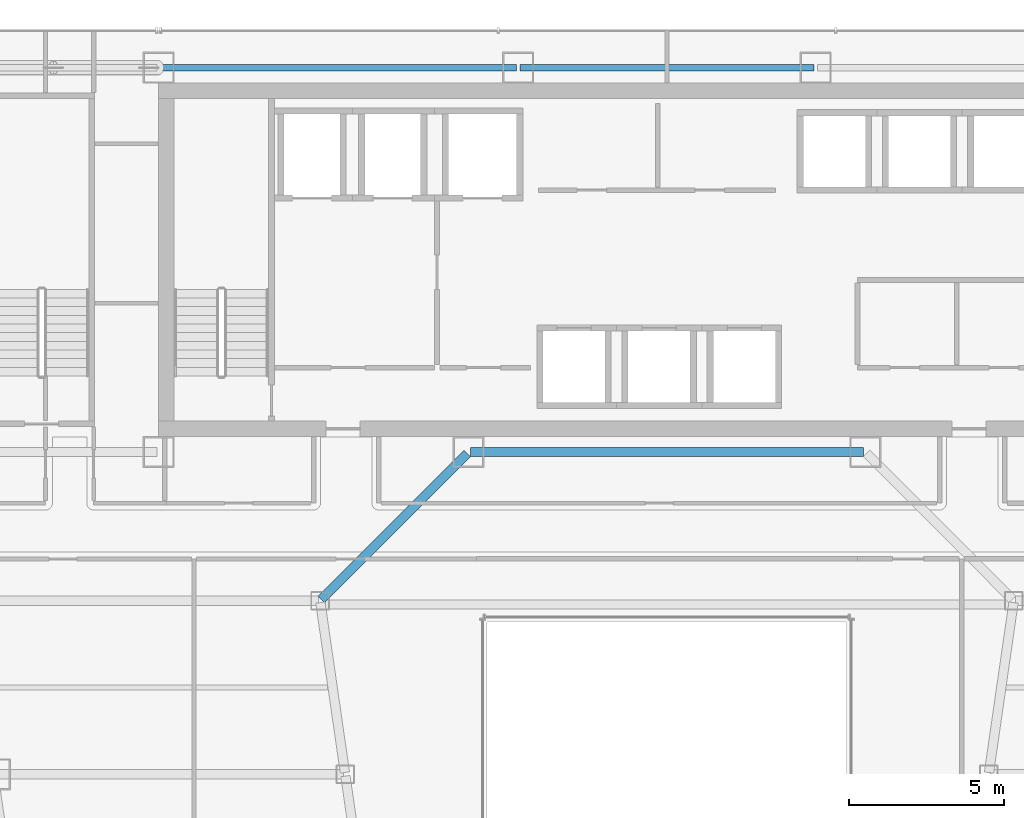
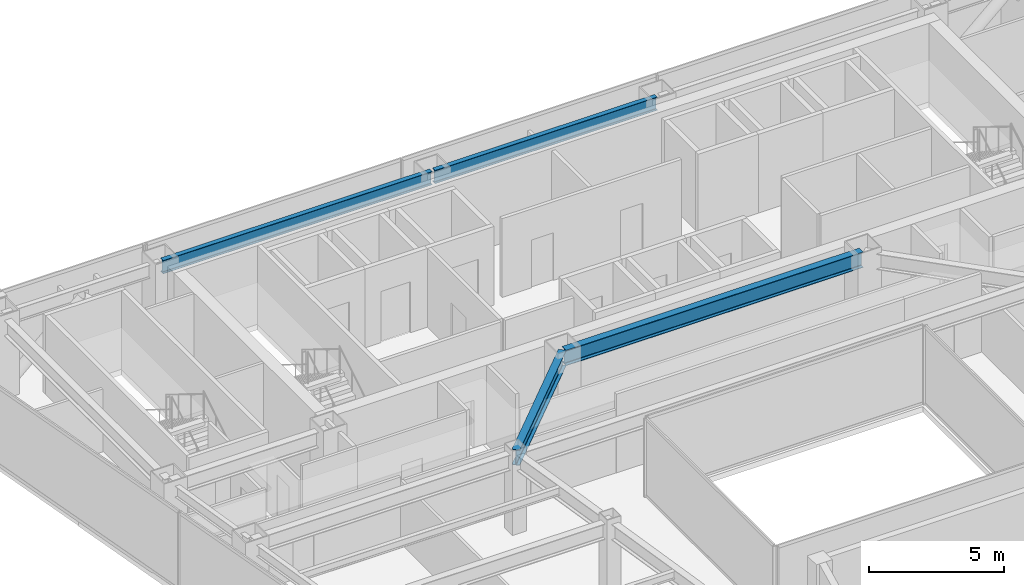
# One storey, part 14 of 31: 4 beams.
"""IFC4 building model written with IfcOpenShell, lengths in metres."""

from ifc_helpers import new_model, si_unit, direction, frame, origin, origin_2d, place, context, subcontext, project, spatial, i_section, extrude, material, material_profile, profile_set, type_object, element, save


model = new_model("IFC4")

# Units and contexts
model_context = context("Model", 3, precision=1e-05, world=origin(), true_north=direction((0.0, 1.0)))
body_context = subcontext(model_context, "Body", "Model", "MODEL_VIEW")
ifc_project = project(units=[si_unit("LENGTHUNIT", "METRE"), si_unit("AREAUNIT", "SQUARE_METRE"), si_unit("VOLUMEUNIT", "CUBIC_METRE"), si_unit("PLANEANGLEUNIT", "RADIAN"), si_unit("MASSUNIT", "GRAM", prefix="KILO")], contexts=[model_context])

# Site, building, storey
site_placement = place(None, origin())
site = spatial("IfcSite", under=ifc_project, at=site_placement, CompositionType="ELEMENT")
building_placement = place(site_placement, origin())
building = spatial("IfcBuilding", under=site, at=building_placement, Name="Saevonmaru Cultural Tower", CompositionType="ELEMENT")
storey_placement = place(building_placement, frame((0.0, 0.0, 167.60009765625)))
storey = spatial("IfcBuildingStorey", under=building, at=storey_placement, Name="L37", CompositionType="ELEMENT", Elevation=167.60009765625)

# Beams
ifc_material = material(Name="Steel SM355", Category="steel")
ifc_material_profile_1 = material_profile(ifc_material, i_section(OverallWidth=0.300048828125, OverallDepth=0.699951171875, WebThickness=0.012939453125, FlangeThickness=0.02392578125, FilletRadius=0.02587890625, at=origin_2d()), Name="H-700x300x13x24")
ifc_profile_set_1 = profile_set([ifc_material_profile_1], Name="Steel SM355")
beam_type_1 = type_object("IfcBeamType", Name="BM-G-H700", PredefinedType="BEAM", material=ifc_profile_set_1)
beam_1_placement = place(storey_placement, frame((23.659912109375, 42.39990234375, 3.199951171875), z_axis=(1.0, 0.0, 0.0), x_axis=(0.0, 1.0, 0.0)))
element("IfcBeam", 1, at=beam_1_placement, inside=storey, type_object=beam_type_1, Name="L37 Core South Girder 3", PredefinedType="BEAM", context=body_context, shape_type="SweptSolid", body=[
    extrude(i_section(OverallWidth=0.300048828125, OverallDepth=0.699951171875, WebThickness=0.012939453125, FlangeThickness=0.02392578125, FilletRadius=0.02587890625, at=origin_2d()), origin(), (0.0, 0.0, 1.0), 12.68017578125),
])
beam_2_placement = place(storey_placement, frame((18.850341796875, 37.642578125, 3.199951171875), z_axis=(0.706538566564, 0.707674539572, 0.0), x_axis=(-0.707674539572, 0.706538566564, 0.0)))
element("IfcBeam", 2, at=beam_2_placement, inside=storey, type_object=beam_type_1, Name="L37 West Atrium Girder 4", PredefinedType="BEAM", context=body_context, shape_type="SweptSolid", body=[
    extrude(i_section(OverallWidth=0.300048828125, OverallDepth=0.699951171875, WebThickness=0.012939453125, FlangeThickness=0.02392578125, FilletRadius=0.02587890625, at=origin_2d()), origin(), (0.0, 0.0, 1.0), 6.662353515625),
])
ifc_material_profile_2 = material_profile(ifc_material, i_section(OverallWidth=0.199951171875, OverallDepth=0.60009765625, WebThickness=0.010986328125, FlangeThickness=0.01708984375, FilletRadius=0.02197265625, at=origin_2d()), Name="H-600x200x11x17")
ifc_profile_set_2 = profile_set([ifc_material_profile_2], Name="Steel SM355")
beam_type_2 = type_object("IfcBeamType", Name="BM-SP-H600", PredefinedType="SPANDREL", material=ifc_profile_set_2)
beam_3_placement = place(storey_placement, frame((13.659912109375, 54.800048828125, 3.25), z_axis=(1.0, 0.0, 0.0), x_axis=(0.0, 1.0, 0.0)))
element("IfcBeam", 3, at=beam_3_placement, inside=storey, type_object=beam_type_2, Name="L37 North Spine Girder 2", PredefinedType="SPANDREL", context=body_context, shape_type="SweptSolid", body=[
    extrude(i_section(OverallWidth=0.199951171875, OverallDepth=0.60009765625, WebThickness=0.010986328125, FlangeThickness=0.01708984375, FilletRadius=0.02197265625, at=origin_2d()), origin(), (0.0, 0.0, 1.0), 11.47998046875),
])
beam_4_placement = place(storey_placement, frame((25.260009765625, 54.800048828125, 3.25), z_axis=(1.0, 0.0, 0.0), x_axis=(0.0, 1.0, 0.0)))
element("IfcBeam", 4, at=beam_4_placement, inside=storey, type_object=beam_type_2, Name="L37 North Spine Girder 3", PredefinedType="SPANDREL", context=body_context, shape_type="SweptSolid", body=[
    extrude(i_section(OverallWidth=0.199951171875, OverallDepth=0.60009765625, WebThickness=0.010986328125, FlangeThickness=0.01708984375, FilletRadius=0.02197265625, at=origin_2d()), origin(), (0.0, 0.0, 1.0), 9.47998046875),
])

save(model, "model.ifc")
